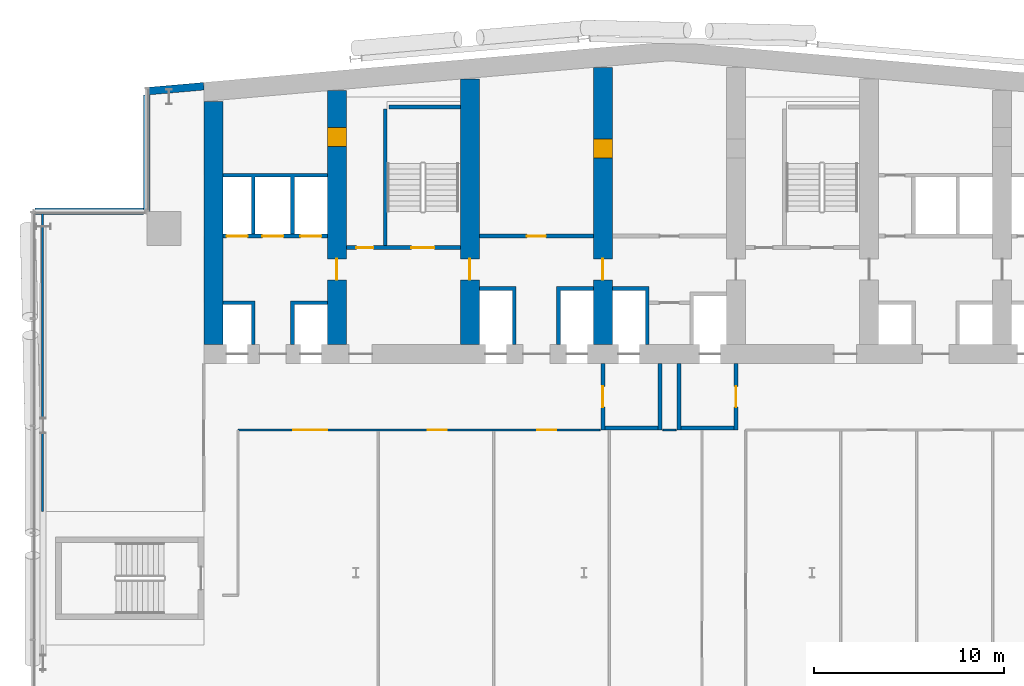
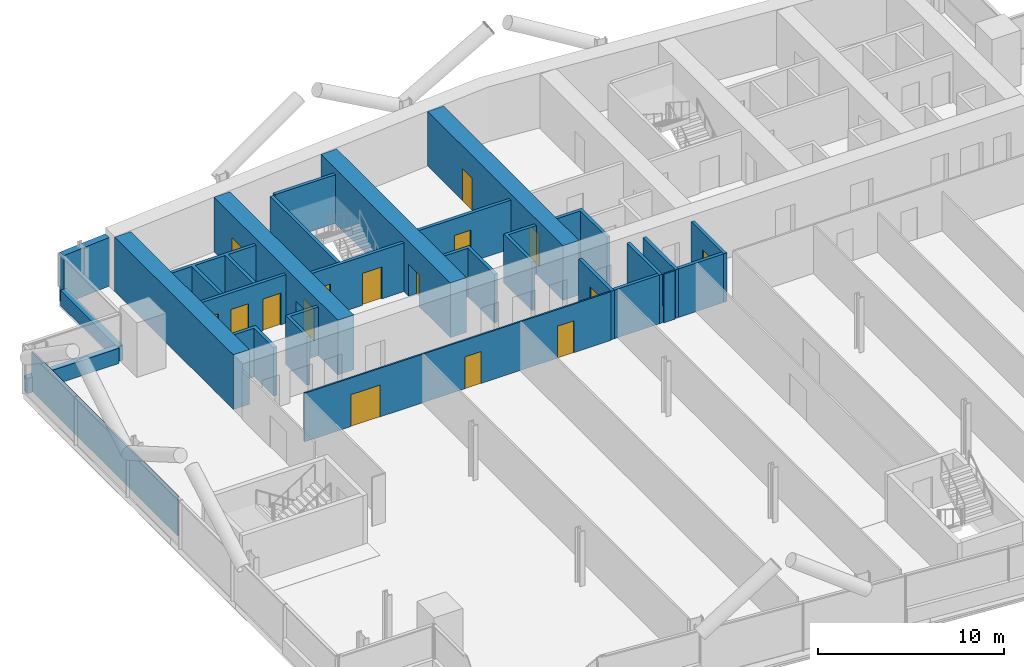
# One storey, part 15 of 25: 27 walls, 16 doors, 16 openings.
"""IFC4 building model written with IfcOpenShell, lengths in metres."""

from ifc_helpers import new_model, si_unit, direction, frame, frame_2d, origin, place, context, subcontext, project, spatial, polyline, rectangle, outline, extrude, material, layer, layer_set, type_object, element, fill, save


model = new_model("IFC4")

# Units and contexts
model_context = context("Model", 3, precision=1e-05, world=origin(), true_north=direction((0.0, 1.0)))
body_context = subcontext(model_context, "Body", "Model", "MODEL_VIEW")
ifc_project = project(units=[si_unit("LENGTHUNIT", "METRE"), si_unit("AREAUNIT", "SQUARE_METRE"), si_unit("VOLUMEUNIT", "CUBIC_METRE"), si_unit("PLANEANGLEUNIT", "RADIAN"), si_unit("MASSUNIT", "GRAM", prefix="KILO")], contexts=[model_context])

# Site, building, storey
site_placement = place(None, origin())
site = spatial("IfcSite", under=ifc_project, at=site_placement, CompositionType="ELEMENT")
building_placement = place(site_placement, origin())
building = spatial("IfcBuilding", under=site, at=building_placement, Name="Wharfspan Tower", CompositionType="ELEMENT")
storey_placement = place(building_placement, frame((0.0, 0.0, 121.899902)))
storey = spatial("IfcBuildingStorey", under=building, at=storey_placement, Name="L28", CompositionType="ELEMENT", Elevation=121.899902)

# Wall, openings, doors
ifc_material_1 = material(Name="Gypsum board on steel studs", Category="steel")
ifc_layer_1 = layer(ifc_material_1, 0.100098)
ifc_layer_set_1 = layer_set([ifc_layer_1], Name="Gypsum board on steel studs")
wall_type_1 = type_object("IfcWallType", Name="Compartment wall 100 EI 60", PredefinedType="PARTITIONING", material=ifc_layer_set_1)
wall_1_placement = place(storey_placement, frame((17.800049, 30.5, 0.0), z_axis=(0.0, 0.0, 1.0), x_axis=(1.0, 0.0, 0.0)))
wall_1 = element("IfcWall", 1, at=wall_1_placement, inside=storey, type_object=wall_type_1, Name="Partition L28.w006", PredefinedType="PARTITIONING", context=body_context, shape_type="SweptSolid", body=[
    extrude(rectangle(XDim=19.050049, YDim=0.100098, at=frame_2d((9.524902, 0.0))), origin(), (0.0, 0.0, 1.0), 3.200195),
])
opening_1_placement = place(wall_1_placement, frame((2.899902, 0.0, 0.0)))
opening_1 = element("IfcOpeningElement", 2, at=opening_1_placement, cuts=wall_1, Name="Opening B4-10", PredefinedType="OPENING", context=body_context, shape_type="SweptSolid", body=[
    extrude(rectangle(XDim=1.800049, YDim=2.100098, at=frame_2d((0.899902, 1.050049))), frame((0.0, 0.060059, 0.0), z_axis=(0.0, -1.0, 0.0), x_axis=(1.0, 0.0, 0.0)), (0.0, 0.0, 1.0), 0.120117),
])
opening_2_placement = place(wall_1_placement, frame((9.98999, 0.0, 0.0)))
opening_2 = element("IfcOpeningElement", 3, at=opening_2_placement, cuts=wall_1, Name="Opening B4-11", PredefinedType="OPENING", context=body_context, shape_type="SweptSolid", body=[
    extrude(rectangle(XDim=1.0, YDim=2.100098, at=frame_2d((0.5, 1.050049))), frame((0.0, 0.060059, 0.0), z_axis=(0.0, -1.0, 0.0), x_axis=(1.0, 0.0, 0.0)), (0.0, 0.0, 1.0), 0.120117),
])
opening_3_placement = place(wall_1_placement, frame((15.75, 0.0, 0.0)))
opening_3 = element("IfcOpeningElement", 4, at=opening_3_placement, cuts=wall_1, Name="Opening B4-12", PredefinedType="OPENING", context=body_context, shape_type="SweptSolid", body=[
    extrude(rectangle(XDim=1.0, YDim=2.100098, at=frame_2d((0.5, 1.050049))), frame((0.0, 0.060059, 0.0), z_axis=(0.0, -1.0, 0.0), x_axis=(1.0, 0.0, 0.0)), (0.0, 0.0, 1.0), 0.120117),
])
ifc_material_2 = material(Name="Fire-rated timber door leaf in steel frame", Category="steel")
door_type_1 = type_object("IfcDoorType", Name="Door 1000 FD30S Left", OperationType="SINGLE_SWING_LEFT", PredefinedType="DOOR", material=ifc_material_2)
door_1_placement = place(opening_2_placement, origin())
door_1 = element("IfcDoor", 5, at=door_1_placement, inside=storey, type_object=door_type_1, Name="Door B4-11", OperationType="SINGLE_SWING_LEFT", OverallHeight=2.100098, OverallWidth=1.0, PredefinedType="DOOR", context=body_context, shape_type="SweptSolid", body=[
    extrude(rectangle(XDim=1.0, YDim=2.100098, at=frame_2d((0.5, 1.050049))), frame((0.0, 0.024902, 0.0), z_axis=(0.0, -1.0, 0.0), x_axis=(1.0, 0.0, 0.0)), (0.0, 0.0, 1.0), 0.050049),
])
fill(opening_2, door_1)
door_type_2 = type_object("IfcDoorType", Name="Door 1000 FD30S Right", OperationType="SINGLE_SWING_RIGHT", PredefinedType="DOOR", material=ifc_material_2)
door_2_placement = place(opening_3_placement, origin())
door_2 = element("IfcDoor", 6, at=door_2_placement, inside=storey, type_object=door_type_2, Name="Door B4-12", OperationType="SINGLE_SWING_RIGHT", OverallHeight=2.100098, OverallWidth=1.0, PredefinedType="DOOR", context=body_context, shape_type="SweptSolid", body=[
    extrude(rectangle(XDim=1.0, YDim=2.100098, at=frame_2d((0.5, 1.050049))), frame((0.0, 0.024902, 0.0), z_axis=(0.0, -1.0, 0.0), x_axis=(1.0, 0.0, 0.0)), (0.0, 0.0, 1.0), 0.050049),
])
fill(opening_3, door_2)
door_type_3 = type_object("IfcDoorType", Name="Door 1800 FD30S Double", OperationType="DOUBLE_DOOR_SINGLE_SWING", PredefinedType="DOOR", material=ifc_material_2)
door_3_placement = place(opening_1_placement, origin())
door_3 = element("IfcDoor", 7, at=door_3_placement, inside=storey, type_object=door_type_3, Name="Door B4-10", OperationType="DOUBLE_DOOR_SINGLE_SWING", OverallHeight=2.100098, OverallWidth=1.800049, PredefinedType="DOOR", context=body_context, shape_type="SweptSolid", body=[
    extrude(rectangle(XDim=1.800049, YDim=2.100098, at=frame_2d((0.899902, 1.050049))), frame((0.0, 0.024902, 0.0), z_axis=(0.0, -1.0, 0.0), x_axis=(1.0, 0.0, 0.0)), (0.0, 0.0, 1.0), 0.050049),
])
fill(opening_1, door_3)

# Walls
wall_2_placement = place(storey_placement, frame((40.149902, 30.5, 0.0), z_axis=(0.0, 0.0, 1.0), x_axis=(1.0, 0.0, 0.0)))
element("IfcWall", 8, at=wall_2_placement, inside=storey, type_object=wall_type_1, Name="Partition L28.w006 (2)", PredefinedType="PARTITIONING", context=body_context, shape_type="SweptSolid", body=[
    extrude(rectangle(XDim=0.700195, YDim=0.100098, at=frame_2d((0.350098, 0.0))), origin(), (0.0, 0.0, 1.0), 3.200195),
])
ifc_material_3 = material(Name="Concrete C70/85", Category="concrete")
ifc_layer_2 = layer(ifc_material_3, 1.0)
ifc_layer_set_2 = layer_set([ifc_layer_2], Name="Concrete C70/85")
wall_type_2 = type_object("IfcWallType", Name="Core wall 1000 C70/85", PredefinedType="SHEAR", material=ifc_layer_set_2)
wall_3_placement = place(storey_placement, frame((16.5, 35.0, 0.0), z_axis=(0.0, 0.0, 1.0), x_axis=(0.0, 1.0, 0.0)))
element("IfcWall", 9, at=wall_3_placement, inside=storey, type_object=wall_type_2, Name="Core cross wall EW0 L28", PredefinedType="SHEAR", context=body_context, shape_type="SweptSolid", body=[
    extrude(rectangle(XDim=12.783691, YDim=1.0, at=frame_2d((6.391846, 0.0))), origin(), (0.0, 0.0, 1.0), 3.600098),
])

# Wall, openings, doors
wall_4_placement = place(storey_placement, frame((23.0, 35.0, 0.0), z_axis=(0.0, 0.0, 1.0), x_axis=(0.0, 1.0, 0.0)))
wall_4 = element("IfcWall", 10, at=wall_4_placement, inside=storey, type_object=wall_type_2, Name="Core cross wall X2 L28", PredefinedType="SHEAR", context=body_context, shape_type="SweptSolid", body=[
    extrude(rectangle(XDim=13.352295, YDim=1.0, at=frame_2d((6.67627, 0.0))), origin(), (0.0, 0.0, 1.0), 3.600098),
])
opening_4_placement = place(wall_4_placement, frame((10.425537, 0.0, 0.0)))
opening_4 = element("IfcOpeningElement", 11, at=opening_4_placement, cuts=wall_4, Name="Opening CD28.1X", PredefinedType="OPENING", context=body_context, shape_type="SweptSolid", body=[
    extrude(rectangle(XDim=1.0, YDim=2.100098, at=frame_2d((0.5, 1.050049))), frame((0.0, 0.51001, 0.0), z_axis=(0.0, -1.0, 0.0), x_axis=(1.0, 0.0, 0.0)), (0.0, 0.0, 1.0), 1.02002),
])
opening_5_placement = place(wall_4_placement, frame((3.399902, 0.0, 0.0)))
opening_5 = element("IfcOpeningElement", 12, at=opening_5_placement, cuts=wall_4, Name="Opening CC28.2", PredefinedType="OPENING", context=body_context, shape_type="SweptSolid", body=[
    extrude(rectangle(XDim=1.100098, YDim=2.100098, at=frame_2d((0.550049, 1.050049))), frame((0.0, 0.51001, 0.0), z_axis=(0.0, -1.0, 0.0), x_axis=(1.0, 0.0, 0.0)), (0.0, 0.0, 1.0), 1.02002),
])
ifc_material_4 = material(Name="Steel door leaf", Category="steel")
door_type_4 = type_object("IfcDoorType", Name="Core corridor door 1100x2100", OperationType="SINGLE_SWING_LEFT", PredefinedType="DOOR", material=ifc_material_4)
door_4_placement = place(opening_5_placement, origin())
door_4 = element("IfcDoor", 13, at=door_4_placement, inside=storey, type_object=door_type_4, Name="xd:L28:2", OperationType="SINGLE_SWING_RIGHT", OverallHeight=2.100098, OverallWidth=1.100098, PredefinedType="DOOR", context=body_context, shape_type="SweptSolid", body=[
    extrude(rectangle(XDim=1.100098, YDim=2.100098, at=frame_2d((0.550049, 1.050049))), frame((0.0, 0.024902, 0.0), z_axis=(0.0, -1.0, 0.0), x_axis=(1.0, 0.0, 0.0)), (0.0, 0.0, 1.0), 0.050049),
])
fill(opening_5, door_4)
door_type_5 = type_object("IfcDoorType", Name="Core room door 1000x2100", OperationType="SINGLE_SWING_LEFT", PredefinedType="DOOR", material=ifc_material_4)
door_5_placement = place(opening_4_placement, origin())
door_5 = element("IfcDoor", 14, at=door_5_placement, inside=storey, type_object=door_type_5, Name="d:L28:1:sx", OperationType="SINGLE_SWING_LEFT", OverallHeight=2.100098, OverallWidth=1.0, PredefinedType="DOOR", context=body_context, shape_type="SweptSolid", body=[
    extrude(rectangle(XDim=1.0, YDim=2.100098, at=frame_2d((0.5, 1.050049))), frame((0.0, 0.499756, 0.0), z_axis=(0.0, -1.0, 0.0), x_axis=(1.0, 0.0, 0.0)), (0.0, 0.0, 1.0), 0.999512),
])
fill(opening_4, door_5)

# Wall, opening, door
wall_5_placement = place(storey_placement, frame((30.0, 35.0, 0.0), z_axis=(0.0, 0.0, 1.0), x_axis=(0.0, 1.0, 0.0)))
wall_5 = element("IfcWall", 15, at=wall_5_placement, inside=storey, type_object=wall_type_2, Name="Core cross wall X3 L28", PredefinedType="SHEAR", context=body_context, shape_type="SweptSolid", body=[
    extrude(rectangle(XDim=13.9646, YDim=1.0, at=frame_2d((6.982422, 0.0))), origin(), (0.0, 0.0, 1.0), 3.600098),
])
opening_6_placement = place(wall_5_placement, frame((3.399902, 0.0, 0.0)))
opening_6 = element("IfcOpeningElement", 16, at=opening_6_placement, cuts=wall_5, Name="Opening CC28.3", PredefinedType="OPENING", context=body_context, shape_type="SweptSolid", body=[
    extrude(rectangle(XDim=1.100098, YDim=2.100098, at=frame_2d((0.550049, 1.050049))), frame((0.0, 0.51001, 0.0), z_axis=(0.0, -1.0, 0.0), x_axis=(1.0, 0.0, 0.0)), (0.0, 0.0, 1.0), 1.02002),
])
door_6_placement = place(opening_6_placement, origin())
door_6 = element("IfcDoor", 17, at=door_6_placement, inside=storey, type_object=door_type_4, Name="xd:L28:3", OperationType="SINGLE_SWING_LEFT", OverallHeight=2.100098, OverallWidth=1.100098, PredefinedType="DOOR", context=body_context, shape_type="SweptSolid", body=[
    extrude(rectangle(XDim=1.100098, YDim=2.100098, at=frame_2d((0.550049, 1.050049))), frame((0.0, 0.024902, 0.0), z_axis=(0.0, -1.0, 0.0), x_axis=(1.0, 0.0, 0.0)), (0.0, 0.0, 1.0), 0.050049),
])
fill(opening_6, door_6)

# Wall, openings, doors
wall_6_placement = place(storey_placement, frame((37.0, 35.0, 0.0), z_axis=(0.0, 0.0, 1.0), x_axis=(0.0, 1.0, 0.0)))
wall_6 = element("IfcWall", 18, at=wall_6_placement, inside=storey, type_object=wall_type_2, Name="Core cross wall X4 L28", PredefinedType="SHEAR", context=body_context, shape_type="SweptSolid", body=[
    extrude(rectangle(XDim=14.577148, YDim=1.0, at=frame_2d((7.288574, 0.0))), origin(), (0.0, 0.0, 1.0), 3.600098),
])
opening_7_placement = place(wall_6_placement, frame((3.399902, 0.0, 0.0)))
opening_7 = element("IfcOpeningElement", 19, at=opening_7_placement, cuts=wall_6, Name="Opening CC28.4", PredefinedType="OPENING", context=body_context, shape_type="SweptSolid", body=[
    extrude(rectangle(XDim=1.100098, YDim=2.100098, at=frame_2d((0.550049, 1.050049))), frame((0.0, 0.51001, 0.0), z_axis=(0.0, -1.0, 0.0), x_axis=(1.0, 0.0, 0.0)), (0.0, 0.0, 1.0), 1.02002),
])
opening_8_placement = place(wall_6_placement, frame((9.800049, 0.0, 0.0)))
opening_8 = element("IfcOpeningElement", 20, at=opening_8_placement, cuts=wall_6, Name="Opening CR28.4", PredefinedType="OPENING", context=body_context, shape_type="SweptSolid", body=[
    extrude(rectangle(XDim=1.0, YDim=2.100098, at=frame_2d((0.5, 1.050049))), frame((0.0, 0.51001, 0.0), z_axis=(0.0, -1.0, 0.0), x_axis=(1.0, 0.0, 0.0)), (0.0, 0.0, 1.0), 1.02002),
])
door_7_placement = place(opening_7_placement, origin())
door_7 = element("IfcDoor", 21, at=door_7_placement, inside=storey, type_object=door_type_4, Name="xd:L28:4", OperationType="SINGLE_SWING_RIGHT", OverallHeight=2.100098, OverallWidth=1.100098, PredefinedType="DOOR", context=body_context, shape_type="SweptSolid", body=[
    extrude(rectangle(XDim=1.100098, YDim=2.100098, at=frame_2d((0.550049, 1.050049))), frame((0.0, 0.024902, 0.0), z_axis=(0.0, -1.0, 0.0), x_axis=(1.0, 0.0, 0.0)), (0.0, 0.0, 1.0), 0.050049),
])
fill(opening_7, door_7)
door_8_placement = place(opening_8_placement, origin())
door_8 = element("IfcDoor", 22, at=door_8_placement, inside=storey, type_object=door_type_5, Name="xr:L28:4", OperationType="SINGLE_SWING_RIGHT", OverallHeight=2.100098, OverallWidth=1.0, PredefinedType="DOOR", context=body_context, shape_type="SweptSolid", body=[
    extrude(rectangle(XDim=1.0, YDim=2.100098, at=frame_2d((0.5, 1.050049))), frame((0.0, 0.499756, 0.0), z_axis=(0.0, -1.0, 0.0), x_axis=(1.0, 0.0, 0.0)), (0.0, 0.0, 1.0), 0.999512),
])
fill(opening_8, door_8)

ifc_material_5 = material(Name="Concrete C30/37", Category="concrete")
ifc_layer_3 = layer(ifc_material_5, 0.199951)
ifc_layer_set_3 = layer_set([ifc_layer_3], Name="Concrete C30/37")
wall_type_3 = type_object("IfcWallType", Name="Lift shaft wall 200", PredefinedType="PARTITIONING", material=ifc_layer_set_3)
wall_7_placement = place(storey_placement, frame((17.0, 40.699951, 0.0), z_axis=(0.0, 0.0, 1.0), x_axis=(1.0, 0.0, 0.0)))
wall_7 = element("IfcWall", 23, at=wall_7_placement, inside=storey, type_object=wall_type_3, Name="sw:L28:RF1", PredefinedType="PARTITIONING", context=body_context, shape_type="SweptSolid", body=[
    extrude(rectangle(XDim=5.5, YDim=0.199951, at=frame_2d((2.75, 0.0))), origin(), (0.0, 0.0, 1.0), 3.200195),
])
opening_9_placement = place(wall_7_placement, frame((0.199951, 0.0, 0.0)))
opening_9 = element("IfcOpeningElement", 24, at=opening_9_placement, cuts=wall_7, Name="Opening LD.LA3.L28", PredefinedType="OPENING", context=body_context, shape_type="SweptSolid", body=[
    extrude(rectangle(XDim=1.100098, YDim=2.100098, at=frame_2d((0.550049, 1.050049))), frame((0.0, 0.109863, 0.0), z_axis=(0.0, -1.0, 0.0), x_axis=(1.0, 0.0, 0.0)), (0.0, 0.0, 1.0), 0.219971),
])
opening_10_placement = place(wall_7_placement, frame((2.083252, 0.0, 0.0)))
opening_10 = element("IfcOpeningElement", 25, at=opening_10_placement, cuts=wall_7, Name="Opening LD.LA4.L28", PredefinedType="OPENING", context=body_context, shape_type="SweptSolid", body=[
    extrude(rectangle(XDim=1.100098, YDim=2.100098, at=frame_2d((0.550049, 1.050049))), frame((0.0, 0.109863, 0.0), z_axis=(0.0, -1.0, 0.0), x_axis=(1.0, 0.0, 0.0)), (0.0, 0.0, 1.0), 0.219971),
])
opening_11_placement = place(wall_7_placement, frame((4.083252, 0.0, 0.0)))
opening_11 = element("IfcOpeningElement", 26, at=opening_11_placement, cuts=wall_7, Name="Opening LD.LA5.L28", PredefinedType="OPENING", context=body_context, shape_type="SweptSolid", body=[
    extrude(rectangle(XDim=1.100098, YDim=2.100098, at=frame_2d((0.550049, 1.050049))), frame((0.0, 0.109863, 0.0), z_axis=(0.0, -1.0, 0.0), x_axis=(1.0, 0.0, 0.0)), (0.0, 0.0, 1.0), 0.219971),
])
ifc_material_6 = material(Name="Stainless steel", Category="steel")
door_type_6 = type_object("IfcDoorType", Name="Lift landing door 1100x2100", OperationType="DOUBLE_DOOR_SLIDING", PredefinedType="DOOR", material=ifc_material_6)
door_9_placement = place(opening_9_placement, origin())
door_9 = element("IfcDoor", 27, at=door_9_placement, inside=storey, type_object=door_type_6, Name="Landing door LA3 L28", OperationType="DOUBLE_DOOR_SLIDING", OverallHeight=2.100098, OverallWidth=1.100098, PredefinedType="DOOR", context=body_context, shape_type="SweptSolid", body=[
    extrude(rectangle(XDim=1.100098, YDim=2.100098, at=frame_2d((0.550049, 1.050049))), frame((0.0, 0.024902, 0.0), z_axis=(0.0, -1.0, 0.0), x_axis=(1.0, 0.0, 0.0)), (0.0, 0.0, 1.0), 0.050049),
])
fill(opening_9, door_9)
door_10_placement = place(opening_10_placement, origin())
door_10 = element("IfcDoor", 28, at=door_10_placement, inside=storey, type_object=door_type_6, Name="Landing door LA4 L28", OperationType="DOUBLE_DOOR_SLIDING", OverallHeight=2.100098, OverallWidth=1.100098, PredefinedType="DOOR", context=body_context, shape_type="SweptSolid", body=[
    extrude(rectangle(XDim=1.100098, YDim=2.100098, at=frame_2d((0.550049, 1.050049))), frame((0.0, 0.024902, 0.0), z_axis=(0.0, -1.0, 0.0), x_axis=(1.0, 0.0, 0.0)), (0.0, 0.0, 1.0), 0.050049),
])
fill(opening_10, door_10)
door_11_placement = place(opening_11_placement, origin())
door_11 = element("IfcDoor", 29, at=door_11_placement, inside=storey, type_object=door_type_6, Name="Landing door LA5 L28", OperationType="DOUBLE_DOOR_SLIDING", OverallHeight=2.100098, OverallWidth=1.100098, PredefinedType="DOOR", context=body_context, shape_type="SweptSolid", body=[
    extrude(rectangle(XDim=1.100098, YDim=2.100098, at=frame_2d((0.550049, 1.050049))), frame((0.0, 0.024902, 0.0), z_axis=(0.0, -1.0, 0.0), x_axis=(1.0, 0.0, 0.0)), (0.0, 0.0, 1.0), 0.050049),
])
fill(opening_11, door_11)

# Walls
wall_8_placement = place(storey_placement, origin())
element("IfcWall", 30, at=wall_8_placement, inside=storey, type_object=wall_type_3, Name="sw:L28:FM1.0", PredefinedType="PARTITIONING", context=body_context, shape_type="SweptSolid", body=[
    extrude(outline(polyline([(18.5, 37.100098), (17.0, 37.100098), (17.0, 37.300049), (18.5, 37.300049), (18.699951, 37.300049), (18.699951, 35.0), (18.5, 35.0), (18.5, 37.100098)])), origin(), (0.0, 0.0, 1.0), 3.200195),
])
wall_9_placement = place(storey_placement, origin())
element("IfcWall", 31, at=wall_9_placement, inside=storey, type_object=wall_type_3, Name="sw:L28:FM1.1", PredefinedType="PARTITIONING", context=body_context, shape_type="SweptSolid", body=[
    extrude(outline(polyline([(20.56665, 37.300049), (20.766602, 37.300049), (22.5, 37.300049), (22.5, 37.100098), (20.766602, 37.100098), (20.766602, 35.0), (20.56665, 35.0), (20.56665, 37.300049)])), origin(), (0.0, 0.0, 1.0), 3.200195),
])
wall_10_placement = place(storey_placement, origin())
element("IfcWall", 32, at=wall_10_placement, inside=storey, type_object=wall_type_3, Name="sw:L28:RM1.0", PredefinedType="PARTITIONING", context=body_context, shape_type="SweptSolid", body=[
    extrude(outline(polyline([(18.699951, 40.800049), (18.5, 40.800049), (18.5, 43.800049), (17.0, 43.800049), (17.0, 44.0), (22.5, 44.0), (22.5, 43.800049), (20.766602, 43.800049), (20.766602, 40.800049), (20.56665, 40.800049), (20.56665, 43.800049), (18.699951, 43.800049), (18.699951, 40.800049)])), origin(), (0.0, 0.0, 1.0), 3.200195),
])

# Wall, opening, door
wall_11_placement = place(storey_placement, frame((30.5, 40.699951, 0.0), z_axis=(0.0, 0.0, 1.0), x_axis=(1.0, 0.0, 0.0)))
wall_11 = element("IfcWall", 33, at=wall_11_placement, inside=storey, type_object=wall_type_3, Name="sw:L28:RF3", PredefinedType="PARTITIONING", context=body_context, shape_type="SweptSolid", body=[
    extrude(rectangle(XDim=6.0, YDim=0.199951, at=frame_2d((3.0, 0.0))), origin(), (0.0, 0.0, 1.0), 3.200195),
])
opening_12_placement = place(wall_11_placement, frame((2.5, 0.0, 0.0)))
opening_12 = element("IfcOpeningElement", 34, at=opening_12_placement, cuts=wall_11, Name="Opening CD28.3S", PredefinedType="OPENING", context=body_context, shape_type="SweptSolid", body=[
    extrude(rectangle(XDim=1.0, YDim=2.100098, at=frame_2d((0.5, 1.050049))), frame((0.0, 0.109863, 0.0), z_axis=(0.0, -1.0, 0.0), x_axis=(1.0, 0.0, 0.0)), (0.0, 0.0, 1.0), 0.219971),
])
door_12_placement = place(opening_12_placement, origin())
door_12 = element("IfcDoor", 35, at=door_12_placement, inside=storey, type_object=door_type_5, Name="d:L28:3:sf", OperationType="SINGLE_SWING_LEFT", OverallHeight=2.100098, OverallWidth=1.0, PredefinedType="DOOR", context=body_context, shape_type="SweptSolid", body=[
    extrude(rectangle(XDim=1.0, YDim=2.100098, at=frame_2d((0.5, 1.050049))), frame((0.0, 0.024902, 0.0), z_axis=(0.0, -1.0, 0.0), x_axis=(1.0, 0.0, 0.0)), (0.0, 0.0, 1.0), 0.050049),
])
fill(opening_12, door_12)

# Walls
wall_12_placement = place(storey_placement, origin())
element("IfcWall", 36, at=wall_12_placement, inside=storey, type_object=wall_type_3, Name="sw:L28:FM3.0", PredefinedType="PARTITIONING", context=body_context, shape_type="SweptSolid", body=[
    extrude(outline(polyline([(32.233398, 37.850098), (30.5, 37.850098), (30.5, 38.050049), (32.233398, 38.050049), (32.43335, 38.050049), (32.43335, 35.0), (32.233398, 35.0), (32.233398, 37.850098)])), origin(), (0.0, 0.0, 1.0), 3.200195),
])
wall_13_placement = place(storey_placement, origin())
element("IfcWall", 37, at=wall_13_placement, inside=storey, type_object=wall_type_3, Name="sw:L28:FM3.1", PredefinedType="PARTITIONING", context=body_context, shape_type="SweptSolid", body=[
    extrude(outline(polyline([(34.56665, 38.050049), (34.766602, 38.050049), (36.5, 38.050049), (36.5, 37.850098), (34.766602, 37.850098), (34.766602, 35.0), (34.56665, 35.0), (34.56665, 38.050049)])), origin(), (0.0, 0.0, 1.0), 3.200195),
])
wall_14_placement = place(storey_placement, origin())
element("IfcWall", 38, at=wall_14_placement, inside=storey, type_object=wall_type_3, Name="sw:L28:FM4.1", PredefinedType="PARTITIONING", context=body_context, shape_type="SweptSolid", body=[
    extrude(outline(polyline([(39.233398, 37.850098), (37.5, 37.850098), (37.5, 38.050049), (39.233398, 38.050049), (39.43335, 38.050049), (39.43335, 35.0), (39.233398, 35.0), (39.233398, 37.850098)])), origin(), (0.0, 0.0, 1.0), 3.200195),
])

# Wall, opening, door
ifc_layer_4 = layer(ifc_material_5, 0.199951)
ifc_layer_set_4 = layer_set([ifc_layer_4], Name="Concrete C30/37")
wall_type_4 = type_object("IfcWallType", Name="Lobby wall 200", PredefinedType="PARTITIONING", material=ifc_layer_set_4)
wall_15_placement = place(storey_placement, frame((37.0, 30.5, 0.0), z_axis=(0.0, 0.0, 1.0), x_axis=(0.0, 1.0, 0.0)))
wall_15 = element("IfcWall", 39, at=wall_15_placement, inside=storey, type_object=wall_type_4, Name="sw:L28:FLFF1W", PredefinedType="PARTITIONING", context=body_context, shape_type="SweptSolid", body=[
    extrude(rectangle(XDim=3.5, YDim=0.199951, at=frame_2d((1.75, 0.0))), origin(), (0.0, 0.0, 1.0), 3.200195),
])
opening_13_placement = place(wall_15_placement, frame((1.199951, 0.0, 0.0)))
opening_13 = element("IfcOpeningElement", 40, at=opening_13_placement, cuts=wall_15, Name="Opening FL.FF1.L28", PredefinedType="OPENING", context=body_context, shape_type="SweptSolid", body=[
    extrude(rectangle(XDim=1.100098, YDim=2.100098, at=frame_2d((0.550049, 1.050049))), frame((0.0, 0.109863, 0.0), z_axis=(0.0, -1.0, 0.0), x_axis=(1.0, 0.0, 0.0)), (0.0, 0.0, 1.0), 0.219971),
])
door_type_7 = type_object("IfcDoorType", Name="Firefighting lobby door 1100x2100", OperationType="SINGLE_SWING_LEFT", PredefinedType="DOOR", material=ifc_material_4)
door_13_placement = place(opening_13_placement, origin())
door_13 = element("IfcDoor", 41, at=door_13_placement, inside=storey, type_object=door_type_7, Name="fd:L28:FF1", OperationType="SINGLE_SWING_LEFT", OverallHeight=2.100098, OverallWidth=1.100098, PredefinedType="DOOR", context=body_context, shape_type="SweptSolid", body=[
    extrude(rectangle(XDim=1.100098, YDim=2.100098, at=frame_2d((0.550049, 1.050049))), frame((0.0, 0.024902, 0.0), z_axis=(0.0, -1.0, 0.0), x_axis=(1.0, 0.0, 0.0)), (0.0, 0.0, 1.0), 0.050049),
])
fill(opening_13, door_13)

# Walls
wall_16_placement = place(storey_placement, frame((40.0, 30.5, 0.0), z_axis=(0.0, 0.0, 1.0), x_axis=(0.0, 1.0, 0.0)))
element("IfcWall", 42, at=wall_16_placement, inside=storey, type_object=wall_type_4, Name="sw:L28:FLFF1E", PredefinedType="PARTITIONING", context=body_context, shape_type="SweptSolid", body=[
    extrude(rectangle(XDim=3.5, YDim=0.199951, at=frame_2d((1.75, 0.0))), origin(), (0.0, 0.0, 1.0), 3.200195),
])
wall_17_placement = place(storey_placement, frame((37.100098, 30.600098, 0.0), z_axis=(0.0, 0.0, 1.0), x_axis=(1.0, 0.0, 0.0)))
element("IfcWall", 43, at=wall_17_placement, inside=storey, type_object=wall_type_4, Name="sw:L28:FLFF1F", PredefinedType="PARTITIONING", context=body_context, shape_type="SweptSolid", body=[
    extrude(rectangle(XDim=2.799805, YDim=0.199951, at=frame_2d((1.399902, 0.0))), origin(), (0.0, 0.0, 1.0), 3.200195),
])
wall_18_placement = place(storey_placement, frame((41.0, 30.5, 0.0), z_axis=(0.0, 0.0, 1.0), x_axis=(0.0, 1.0, 0.0)))
element("IfcWall", 44, at=wall_18_placement, inside=storey, type_object=wall_type_4, Name="sw:L28:FLFF2W", PredefinedType="PARTITIONING", context=body_context, shape_type="SweptSolid", body=[
    extrude(rectangle(XDim=3.5, YDim=0.199951, at=frame_2d((1.75, 0.0))), origin(), (0.0, 0.0, 1.0), 3.200195),
])

# Wall, opening, door
wall_19_placement = place(storey_placement, frame((44.0, 30.5, 0.0), z_axis=(0.0, 0.0, 1.0), x_axis=(0.0, 1.0, 0.0)))
wall_19 = element("IfcWall", 45, at=wall_19_placement, inside=storey, type_object=wall_type_4, Name="sw:L28:FLFF2E", PredefinedType="PARTITIONING", context=body_context, shape_type="SweptSolid", body=[
    extrude(rectangle(XDim=3.5, YDim=0.199951, at=frame_2d((1.75, 0.0))), origin(), (0.0, 0.0, 1.0), 3.200195),
])
opening_14_placement = place(wall_19_placement, frame((1.199951, 0.0, 0.0)))
opening_14 = element("IfcOpeningElement", 46, at=opening_14_placement, cuts=wall_19, Name="Opening FL.FF2.L28", PredefinedType="OPENING", context=body_context, shape_type="SweptSolid", body=[
    extrude(rectangle(XDim=1.100098, YDim=2.100098, at=frame_2d((0.550049, 1.050049))), frame((0.0, 0.109863, 0.0), z_axis=(0.0, -1.0, 0.0), x_axis=(1.0, 0.0, 0.0)), (0.0, 0.0, 1.0), 0.219971),
])
door_14_placement = place(opening_14_placement, origin())
door_14 = element("IfcDoor", 47, at=door_14_placement, inside=storey, type_object=door_type_7, Name="fd:L28:FF2", OperationType="SINGLE_SWING_LEFT", OverallHeight=2.100098, OverallWidth=1.100098, PredefinedType="DOOR", context=body_context, shape_type="SweptSolid", body=[
    extrude(rectangle(XDim=1.100098, YDim=2.100098, at=frame_2d((0.550049, 1.050049))), frame((0.0, 0.024902, 0.0), z_axis=(0.0, -1.0, 0.0), x_axis=(1.0, 0.0, 0.0)), (0.0, 0.0, 1.0), 0.050049),
])
fill(opening_14, door_14)

# Walls
wall_20_placement = place(storey_placement, frame((41.100098, 30.600098, 0.0), z_axis=(0.0, 0.0, 1.0), x_axis=(1.0, 0.0, 0.0)))
element("IfcWall", 48, at=wall_20_placement, inside=storey, type_object=wall_type_4, Name="sw:L28:FLFF2F", PredefinedType="PARTITIONING", context=body_context, shape_type="SweptSolid", body=[
    extrude(rectangle(XDim=2.799805, YDim=0.199951, at=frame_2d((1.399902, 0.0))), origin(), (0.0, 0.0, 1.0), 3.200195),
])
ifc_layer_5 = layer(ifc_material_1, 0.100098)
ifc_layer_set_5 = layer_set([ifc_layer_5], Name="Gypsum board on steel studs")
wall_type_5 = type_object("IfcWallType", Name="Partition 100", PredefinedType="PARTITIONING", material=ifc_layer_set_5)
wall_21_placement = place(storey_placement, frame((7.51001, 26.219971, 0.0), z_axis=(0.0, 0.0, 1.0), x_axis=(0.0, 1.0, 0.0)))
element("IfcWall", 49, at=wall_21_placement, inside=storey, type_object=wall_type_5, Name="Partition L28.w002", PredefinedType="PARTITIONING", context=body_context, shape_type="SweptSolid", body=[
    extrude(rectangle(XDim=15.76001, YDim=0.100098, at=frame_2d((7.879883, 0.0))), origin(), (0.0, 0.0, 1.0), 2.580078),
])
ifc_material_7 = material(Name="Concrete C40/50", Category="concrete")
ifc_layer_6 = layer(ifc_material_7, 0.350098)
ifc_layer_set_6 = layer_set([ifc_layer_6], Name="Concrete C40/50")
wall_type_6 = type_object("IfcWallType", Name="SPANDREL EXPOSED CONCRETE 350", PredefinedType="SOLIDWALL", material=ifc_layer_set_6)
wall_22_placement = place(storey_placement, frame((12.995117, 48.126465, 0.0), z_axis=(0.0, 0.0, 1.0), x_axis=(0.0, -1.0, 0.0)))
element("IfcWall", 50, at=wall_22_placement, inside=storey, type_object=wall_type_6, Name="Spandrel upstand L28 NRW-V", PredefinedType="SOLIDWALL", context=body_context, shape_type="SweptSolid", body=[
    extrude(rectangle(XDim=6.126465, YDim=0.350098, at=frame_2d((3.063232, 0.0))), origin(), (0.0, 0.0, 1.0), 1.0),
])
wall_23_placement = place(storey_placement, frame((12.820068, 42.004883, 0.0), z_axis=(0.0, 0.0, 1.0), x_axis=(-1.0, 0.0, 0.0)))
element("IfcWall", 51, at=wall_23_placement, inside=storey, type_object=wall_type_6, Name="Spandrel upstand L28 NRW-H", PredefinedType="SOLIDWALL", context=body_context, shape_type="SweptSolid", body=[
    extrude(rectangle(XDim=5.699951, YDim=0.350098, at=frame_2d((2.850098, 0.0))), origin(), (0.0, 0.0, 1.0), 1.0),
])

# Wall, openings, doors
ifc_layer_7 = layer(ifc_material_7, 0.199951)
ifc_layer_set_7 = layer_set([ifc_layer_7], Name="Concrete C40/50")
wall_type_7 = type_object("IfcWallType", Name="Stair shaft wall 200", PredefinedType="SHEAR", material=ifc_layer_set_7)
wall_24_placement = place(storey_placement, frame((23.5, 40.100098, 0.0), z_axis=(0.0, 0.0, 1.0), x_axis=(1.0, 0.0, 0.0)))
wall_24 = element("IfcWall", 52, at=wall_24_placement, inside=storey, type_object=wall_type_7, Name="ST1 stair enclosure wall L28", PredefinedType="SHEAR", context=body_context, shape_type="SweptSolid", body=[
    extrude(rectangle(XDim=6.0, YDim=0.199951, at=frame_2d((3.0, 0.0))), origin(), (0.0, 0.0, 1.0), 3.200195),
])
opening_15_placement = place(wall_24_placement, frame((3.425049, 0.0, 0.0)))
opening_15 = element("IfcOpeningElement", 53, at=opening_15_placement, cuts=wall_24, Name="Opening SD2.L28", PredefinedType="OPENING", context=body_context, shape_type="SweptSolid", body=[
    extrude(rectangle(XDim=1.199951, YDim=2.100098, at=frame_2d((0.600098, 1.050049))), frame((0.0, 0.109863, 0.0), z_axis=(0.0, -1.0, 0.0), x_axis=(1.0, 0.0, 0.0)), (0.0, 0.0, 1.0), 0.219971),
])
opening_16_placement = place(wall_24_placement, frame((0.524902, 0.0, 0.0)))
opening_16 = element("IfcOpeningElement", 54, at=opening_16_placement, cuts=wall_24, Name="Opening CD28.2R", PredefinedType="OPENING", context=body_context, shape_type="SweptSolid", body=[
    extrude(rectangle(XDim=0.899902, YDim=2.100098, at=frame_2d((0.449951, 1.050049))), frame((0.0, 0.109863, 0.0), z_axis=(0.0, -1.0, 0.0), x_axis=(1.0, 0.0, 0.0)), (0.0, 0.0, 1.0), 0.219971),
])
door_15_placement = place(opening_16_placement, origin())
door_15 = element("IfcDoor", 55, at=door_15_placement, inside=storey, type_object=door_type_5, Name="rk:L28:2", OperationType="SINGLE_SWING_LEFT", OverallHeight=2.100098, OverallWidth=0.899902, PredefinedType="DOOR", context=body_context, shape_type="SweptSolid", body=[
    extrude(rectangle(XDim=0.899902, YDim=2.100098, at=frame_2d((0.449951, 1.050049))), frame((0.0, 0.024902, 0.0), z_axis=(0.0, -1.0, 0.0), x_axis=(1.0, 0.0, 0.0)), (0.0, 0.0, 1.0), 0.050049),
])
fill(opening_16, door_15)
door_type_8 = type_object("IfcDoorType", Name="Stair door 1200x2100", OperationType="SINGLE_SWING_LEFT", PredefinedType="DOOR", material=ifc_material_4)
door_16_placement = place(opening_15_placement, origin())
door_16 = element("IfcDoor", 56, at=door_16_placement, inside=storey, type_object=door_type_8, Name="sd:L28:2", OperationType="SINGLE_SWING_RIGHT", OverallHeight=2.100098, OverallWidth=1.199951, PredefinedType="DOOR", context=body_context, shape_type="SweptSolid", body=[
    extrude(rectangle(XDim=1.199951, YDim=2.100098, at=frame_2d((0.600098, 1.050049))), frame((0.0, 0.024902, 0.0), z_axis=(0.0, -1.0, 0.0), x_axis=(1.0, 0.0, 0.0)), (0.0, 0.0, 1.0), 0.050049),
])
fill(opening_15, door_16)

# Walls
wall_25_placement = place(storey_placement, frame((25.550049, 40.199951, 0.0), z_axis=(0.0, 0.0, 1.0), x_axis=(0.0, 1.0, 0.0)))
element("IfcWall", 57, at=wall_25_placement, inside=storey, type_object=wall_type_7, Name="ST1 stair enclosure wall L28", PredefinedType="SHEAR", context=body_context, shape_type="SweptSolid", body=[
    extrude(rectangle(XDim=7.199951, YDim=0.199951, at=frame_2d((3.600098, 0.0))), origin(), (0.0, 0.0, 1.0), 3.200195),
])
wall_26_placement = place(storey_placement, frame((25.75, 47.5, 0.0), z_axis=(0.0, 0.0, 1.0), x_axis=(1.0, 0.0, 0.0)))
element("IfcWall", 58, at=wall_26_placement, inside=storey, type_object=wall_type_7, Name="ST1 stair enclosure wall L28", PredefinedType="SHEAR", context=body_context, shape_type="SweptSolid", body=[
    extrude(rectangle(XDim=3.75, YDim=0.199951, at=frame_2d((1.875, 0.0))), origin(), (0.0, 0.0, 1.0), 3.200195),
])
ifc_layer_8 = layer(ifc_material_7, 0.399902)
ifc_layer_set_8 = layer_set([ifc_layer_8], Name="Concrete C40/50")
wall_type_8 = type_object("IfcWallType", Name="WALL EXPOSED CONCRETE 400", PredefinedType="SOLIDWALL", material=ifc_layer_set_8)
wall_27_placement = place(storey_placement, frame((16.0, 48.58667, 0.0), z_axis=(0.0, 0.0, 1.0), x_axis=(-0.996194, -0.087168, 0.0)))
element("IfcWall", 59, at=wall_27_placement, inside=storey, type_object=wall_type_8, Name="Rear wall N1", PredefinedType="SOLIDWALL", context=body_context, shape_type="SweptSolid", body=[
    extrude(rectangle(XDim=2.994141, YDim=0.399902, at=frame_2d((1.49707, 0.0))), origin(), (0.0, 0.0, 1.0), 3.200195),
])

save(model, "model.ifc")
